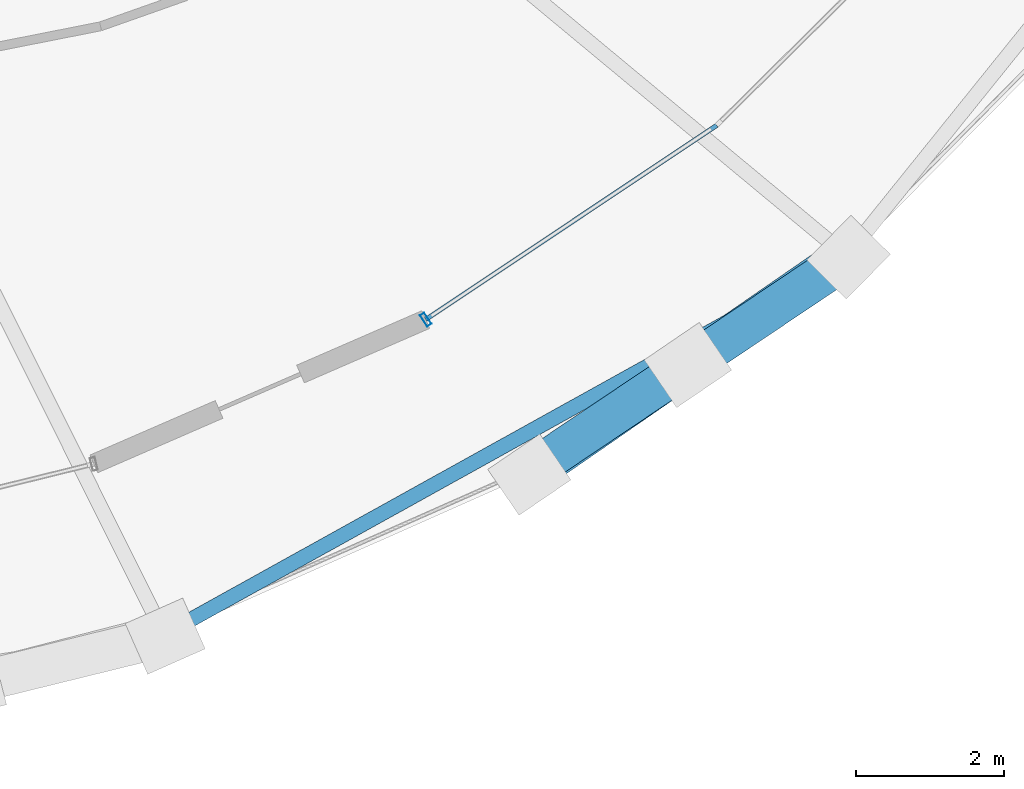
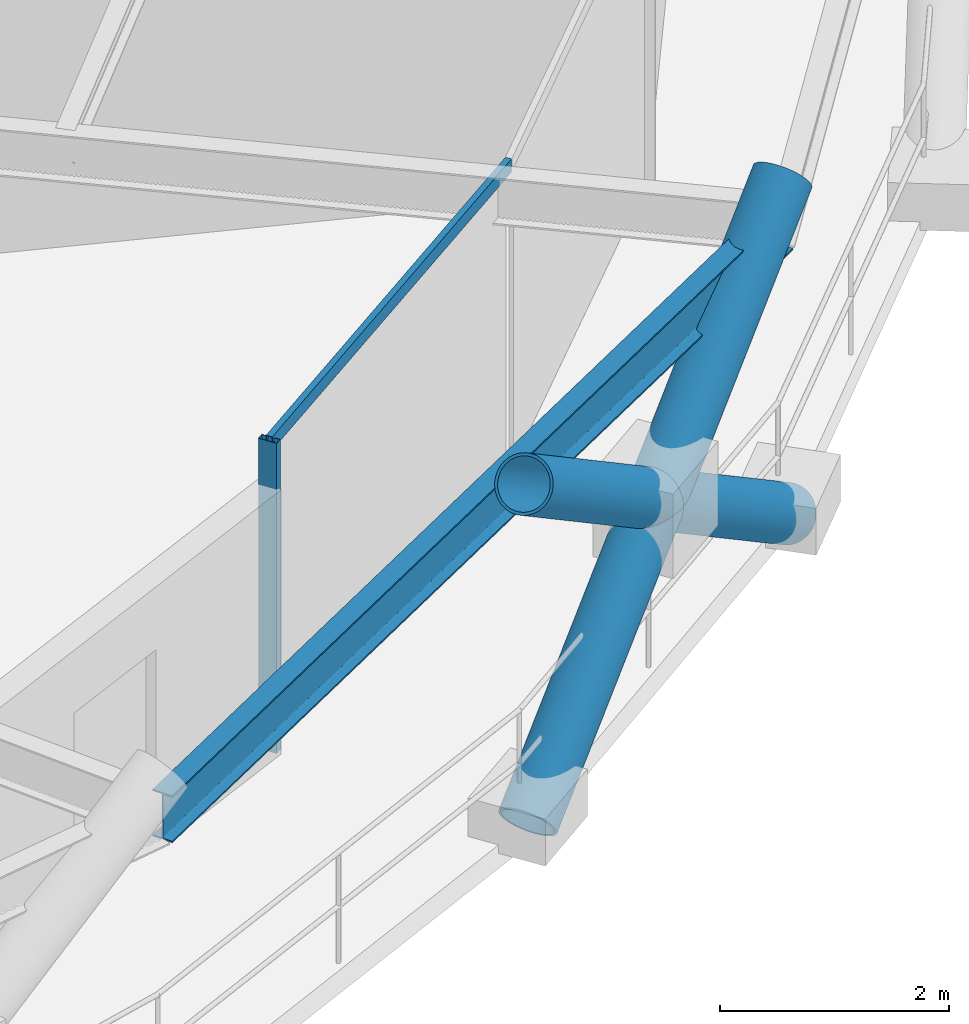
# One storey, part 5 of 21: 5 members, 1 beam, 1 element without a shape of its own.
"""IFC4 building model written with IfcOpenShell, lengths in metres."""

import ifcopenshell
import ifcopenshell.guid

model = None  # the IFC model being written
_history = None  # IfcOwnerHistory: only IFC2X3 demands one
_inside = {}  # id of a spatial element -> (the spatial element, [elements in it])
_under = {}  # id of a project, library or spatial element -> (it, [spatial elements below it])
_declared = {}  # id of a project -> (the project, [libraries it declares])
_typed = {}  # id of a type object -> (the type object, [elements of that type])
_made_of = {}  # id of a material, layer set ... -> (it, [elements and type objects made of it])


def new_model(schema):
    """Start an empty IFC model of exactly this schema.

    Asked for "IFC4X3", IfcOpenShell would pick the latest addendum, in which some entities
    have other attributes; the version numbers below select the first issue.
    IFC2X3 requires an IfcOwnerHistory on every rooted entity: one is made here for all.
    """
    global model, _history
    if schema == "IFC4X3":
        model = ifcopenshell.file(schema_version=(4, 3, 0, 0))
    else:
        model = ifcopenshell.file(schema=schema)
    _inside.clear()
    _under.clear()
    _declared.clear()
    _typed.clear()
    _made_of.clear()
    _history = None
    if model.schema == "IFC2X3":
        org = make("IfcOrganization", Name="unknown")
        user = make(
            "IfcPersonAndOrganization",
            ThePerson=make("IfcPerson", FamilyName="unknown"),
            TheOrganization=org,
        )
        app = make(
            "IfcApplication",
            ApplicationDeveloper=org,
            Version="unknown",
            ApplicationFullName="unknown",
            ApplicationIdentifier="unknown",
        )
        _history = make(
            "IfcOwnerHistory",
            OwningUser=user,
            OwningApplication=app,
            ChangeAction="ADDED",
            CreationDate=0,
        )
    return model


def make(cls, **values):
    """One entity of the class cls with the attributes given. An attribute that is None is left unset."""
    return model.create_entity(
        cls, **{name: value for name, value in values.items() if value is not None}
    )


def rooted(cls, **values):
    """An entity with a GlobalId (a new one), such as an element, a storey or a relation."""
    return make(cls, GlobalId=ifcopenshell.guid.new(), OwnerHistory=_history, **values)


def si_unit(unit_type, name, prefix=None):
    """IfcSIUnit, for example si_unit("LENGTHUNIT", "METRE", prefix="MILLI")."""
    return make("IfcSIUnit", UnitType=unit_type, Prefix=prefix, Name=name)


def assignment(units):
    """IfcUnitAssignment: the units of a project."""
    return None if units is None else make("IfcUnitAssignment", Units=units)


def point(xyz):
    """IfcCartesianPoint."""
    return None if xyz is None else make("IfcCartesianPoint", Coordinates=xyz)


def direction(xyz):
    """IfcDirection."""
    return None if xyz is None else make("IfcDirection", DirectionRatios=xyz)


def frame(location, z_axis=None, x_axis=None):
    """IfcAxis2Placement3D, a coordinate frame: its origin and axes. An axis left out is left unset."""
    return make(
        "IfcAxis2Placement3D",
        Location=point(location),
        Axis=direction(z_axis),
        RefDirection=direction(x_axis),
    )


def frame_2d(location, x_axis=None):
    """IfcAxis2Placement2D, a coordinate frame in the plane: its origin and x axis."""
    return make(
        "IfcAxis2Placement2D", Location=point(location), RefDirection=direction(x_axis)
    )


def origin():
    """The frame at (0, 0, 0) with its axes left unset."""
    return frame((0.0, 0.0, 0.0))


def origin_2d():
    """The frame at (0, 0) in the plane with its x axis left unset."""
    return frame_2d((0.0, 0.0))


def place(relative_to, where):
    """IfcLocalPlacement: puts the frame where relative to a parent placement (None: the world)."""
    return make(
        "IfcLocalPlacement", PlacementRelTo=relative_to, RelativePlacement=where
    )


def context(
    kind, dimensions, precision=None, world=None, true_north=None, identifier=None
):
    """IfcGeometricRepresentationContext, for example the 3D "Model" context."""
    return make(
        "IfcGeometricRepresentationContext",
        ContextIdentifier=identifier,
        ContextType=kind,
        CoordinateSpaceDimension=dimensions,
        Precision=precision,
        WorldCoordinateSystem=world,
        TrueNorth=true_north,
    )


def subcontext(parent, identifier, kind, view, scale=None):
    """IfcGeometricRepresentationSubContext, for example "Body" below "Model"."""
    return make(
        "IfcGeometricRepresentationSubContext",
        ContextIdentifier=identifier,
        ContextType=kind,
        ParentContext=parent,
        TargetScale=scale,
        TargetView=view,
    )


def project(units=None, contexts=None):
    """IfcProject with its units and contexts."""
    return rooted(
        "IfcProject",
        Name="project",
        RepresentationContexts=contexts,
        UnitsInContext=assignment(units),
    )


def spatial(cls, under=None, at=None, **own):
    """A site, building, storey or space (cls), placed at a placement, below another one or the project."""
    s = rooted(cls, ObjectPlacement=at, **own)
    if under is not None:
        _under.setdefault(under.id(), (under, []))[1].append(s)
    return s


def profile(cls, at=None, kind="AREA", **sizes):
    """A parametric profile (cls). Its sizes go by their IFC names, for example OverallWidth=200.0."""
    return make(cls, ProfileType=kind, Position=at, **sizes)


def hollow_rectangle(**sizes):
    """IfcRectangleHollowProfileDef."""
    return profile("IfcRectangleHollowProfileDef", **sizes)


def hollow_circle(**sizes):
    """IfcCircleHollowProfileDef."""
    return profile("IfcCircleHollowProfileDef", **sizes)


def i_section(**sizes):
    """IfcIShapeProfileDef."""
    return profile("IfcIShapeProfileDef", **sizes)


def extrude(swept, where, along, depth):
    """IfcExtrudedAreaSolid: the profile swept, set in the frame where, extruded along a direction by depth."""
    return make(
        "IfcExtrudedAreaSolid",
        SweptArea=swept,
        Position=where,
        ExtrudedDirection=direction(along),
        Depth=depth,
    )


def shape(context_of_items, identifier, shape_type, items):
    """IfcShapeRepresentation: the items that make up one representation, for example the "Body"."""
    return make(
        "IfcShapeRepresentation",
        ContextOfItems=context_of_items,
        RepresentationIdentifier=identifier,
        RepresentationType=shape_type,
        Items=items,
    )


def material(Name=None, Category=None):
    """IfcMaterial."""
    return make("IfcMaterial", Name=Name, Category=Category)


def layer(
    of_material, thickness, ventilated=None, Name=None, Category=None, Priority=None
):
    """IfcMaterialLayer: one layer of a wall or slab, of a material (None: an air gap)."""
    return make(
        "IfcMaterialLayer",
        Material=of_material,
        LayerThickness=thickness,
        IsVentilated=ventilated,
        Name=Name,
        Category=Category,
        Priority=Priority,
    )


def layer_set(layers, Name=None):
    """IfcMaterialLayerSet."""
    return make("IfcMaterialLayerSet", MaterialLayers=layers, LayerSetName=Name)


def material_profile(
    of_material, cross_section, Name=None, Category=None, Priority=None
):
    """IfcMaterialProfile: a cross section and its material."""
    return make(
        "IfcMaterialProfile",
        Name=Name,
        Material=of_material,
        Profile=cross_section,
        Priority=Priority,
        Category=Category,
    )


def profile_set(profiles, Name=None, composite=None):
    """IfcMaterialProfileSet."""
    return make(
        "IfcMaterialProfileSet",
        Name=Name,
        MaterialProfiles=profiles,
        CompositeProfile=composite,
    )


def made_of(thing, what):
    """Note that an element or type object is made of a material, layer set ...; save() writes the relation."""
    if what is not None:
        _made_of.setdefault(what.id(), (what, []))[1].append(thing)
    return thing


def type_object(cls, material=None, **own):
    """A type object (cls), such as IfcWallType, which elements share."""
    return made_of(rooted(cls, **own), material)


def element(
    cls,
    number,
    at=None,
    inside=None,
    cuts=None,
    type_object=None,
    material=None,
    context=None,
    identifier="Body",
    shape_type=None,
    held_by="IfcProductDefinitionShape",
    body=None,
    shapes=None,
    **own,
):
    """One element of the class cls, such as IfcWall. Its Tag is "e" and its number.

    at: its placement. inside: the storey or other place that contains it. cuts: it is an
    opening in that element (IfcRelVoidsElement). A single representation is given by context,
    identifier, shape_type and body (its items); several are given by shapes. held_by: the class
    of the entity that holds the representations. save() writes the other relations.
    """
    e = rooted(cls, Tag="e%d" % number, ObjectPlacement=at, **own)
    if body is not None:
        shapes = [shape(context, identifier, shape_type, body)]
    if shapes is not None:
        e.Representation = make(held_by, Representations=shapes)
    if inside is not None:
        _inside.setdefault(inside.id(), (inside, []))[1].append(e)
    if cuts is not None:
        rooted(
            "IfcRelVoidsElement", RelatingBuildingElement=cuts, RelatedOpeningElement=e
        )
    if type_object is not None:
        _typed.setdefault(type_object.id(), (type_object, []))[1].append(e)
    return made_of(e, material)


def aggregate(whole, parts):
    """IfcRelAggregates: a whole, such as a stair, and the parts it consists of."""
    return rooted("IfcRelAggregates", RelatingObject=whole, RelatedObjects=parts)


def save(model, path):
    """Write the relations noted so far, then the file.

    IfcRelAggregates (storeys below a building ...), IfcRelContainedInSpatialStructure (elements
    in a storey), IfcRelDefinesByType, IfcRelAssociatesMaterial and IfcRelDeclares: one each for
    every whole, place, type object, material and project.
    """
    for whole, parts in _under.values():
        aggregate(whole, parts)
    for where, things in _inside.values():
        rooted(
            "IfcRelContainedInSpatialStructure",
            RelatedElements=things,
            RelatingStructure=where,
        )
    for kind, things in _typed.values():
        rooted("IfcRelDefinesByType", RelatedObjects=things, RelatingType=kind)
    for what, things in _made_of.values():
        rooted("IfcRelAssociatesMaterial", RelatedObjects=things, RelatingMaterial=what)
    for by, libraries in _declared.values():
        rooted("IfcRelDeclares", RelatingContext=by, RelatedDefinitions=libraries)
    model.write(path)


model = new_model("IFC4")

# Units and contexts
model_context = context("Model", 3, precision=1e-05, world=origin(), true_north=direction((0.0, 1.0)))
body_context = subcontext(model_context, "Body", "Model", "MODEL_VIEW")
ifc_project = project(units=[si_unit("LENGTHUNIT", "METRE"), si_unit("AREAUNIT", "SQUARE_METRE"), si_unit("VOLUMEUNIT", "CUBIC_METRE"), si_unit("PLANEANGLEUNIT", "RADIAN"), si_unit("MASSUNIT", "GRAM", prefix="KILO")], contexts=[model_context])

# Site, building, storey
site_placement = place(None, origin())
site = spatial("IfcSite", under=ifc_project, at=site_placement, CompositionType="ELEMENT")
building_placement = place(site_placement, origin())
building = spatial("IfcBuilding", under=site, at=building_placement, Name="Veldorina Hangang Commons", CompositionType="ELEMENT")
storey_placement = place(building_placement, frame((0.0, 0.0, 138.800048828125)))
storey = spatial("IfcBuildingStorey", under=building, at=storey_placement, Name="L35", CompositionType="ELEMENT", Elevation=138.800048828125)

# Beam
ifc_material_1 = material(Name="Steel SM420-TMC", Category="steel")
ifc_material_profile_1 = material_profile(ifc_material_1, i_section(OverallWidth=0.199951171875, OverallDepth=0.5, WebThickness=0.010009765625, FlangeThickness=0.01611328125, FilletRadius=0.01611328125, at=origin_2d()), Name="H-500x200x10x16")
ifc_profile_set_1 = profile_set([ifc_material_profile_1], Name="Steel SM420-TMC")
beam_type = type_object("IfcBeamType", Name="BM-RB500", PredefinedType="BEAM", material=ifc_profile_set_1)
beam_placement = place(storey_placement, frame((42.876220703125, 2.201416015625, 3.099853515625), z_axis=(0.874462920475, 0.485092363076, 0.0), x_axis=(-0.485092363076, 0.874462920475, 0.0)))
element("IfcBeam", 1, at=beam_placement, inside=storey, type_object=beam_type, Name="L35 perimeter hoop ring beam 26", PredefinedType="BEAM", context=body_context, shape_type="SweptSolid", body=[
    extrude(i_section(OverallWidth=0.199951171875, OverallDepth=0.5, WebThickness=0.010009765625, FlangeThickness=0.01611328125, FilletRadius=0.01611328125, at=origin_2d()), origin(), (0.0, 0.0, 1.0), 10.5439453125),
])

# Curtain wall, members
ifc_material_2 = material(Name="Glass Low-E Triple IGU", Category="glass")
ifc_layer = layer(ifc_material_2, 0.179931640625)
ifc_layer_set = layer_set([ifc_layer], Name="Glass Low-E Triple IGU")
curtain_wall_type = type_object("IfcCurtainWallType", Name="CW-SYS-Z2", PredefinedType="NOTDEFINED", material=ifc_layer_set)
curtain_wall_placement = place(storey_placement, origin())
curtain_wall = element("IfcCurtainWall", 2, at=curtain_wall_placement, inside=storey, type_object=curtain_wall_type, Name="L35 unitised curtain wall CW-L35-R2", PredefinedType="NOTDEFINED")
ifc_material_3 = material(Name="Aluminium Anodized AA6063-T6", Category="aluminium")
ifc_material_profile_2 = material_profile(ifc_material_3, hollow_rectangle(XDim=0.070068359375, YDim=0.179931640625, WallThickness=0.00390625, at=origin_2d()), Name="ALU-RHS-180x70x4")
ifc_profile_set_2 = profile_set([ifc_material_profile_2], Name="Aluminium Anodized AA6063-T6")
member_type_1 = type_object("IfcMemberType", Name="CW-MUL-180", PredefinedType="MULLION", material=ifc_profile_set_2)
member_1_placement = place(storey_placement, frame((46.410400390625, 6.455322265625, 0.0), z_axis=(0.0, 0.0, 1.0), x_axis=(0.831682874659, 0.55525093066, 0.0)))
member_1 = element("IfcMember", 3, at=member_1_placement, type_object=member_type_1, Name="CW-L35-R2 vertical mullion 1", PredefinedType="MULLION", context=body_context, shape_type="SweptSolid", body=[
    extrude(hollow_rectangle(XDim=0.070068359375, YDim=0.179931640625, WallThickness=0.00390625, at=origin_2d()), origin(), (0.0, 0.0, 1.0), 3.31005859375),
])
ifc_material_profile_3 = material_profile(ifc_material_3, hollow_rectangle(XDim=0.06005859375, YDim=0.139892578125, WallThickness=0.00341796875, at=origin_2d()), Name="ALU-RHS-140x60x3.5")
ifc_profile_set_3 = profile_set([ifc_material_profile_3], Name="Aluminium Anodized AA6063-T6")
member_type_2 = type_object("IfcMemberType", Name="CW-TRN-140", PredefinedType="USERDEFINED", material=ifc_profile_set_3)
member_2_placement = place(storey_placement, frame((46.410400390625, 6.455322265625, 3.27001953125), z_axis=(0.831676586354, 0.555260349486, 0.0), x_axis=(-0.555260349486, 0.831676586354, 0.0)))
member_2 = element("IfcMember", 4, at=member_2_placement, type_object=member_type_2, Name="CW-L35-R2 facet 1 transom 1", ObjectType="TRANSOM", PredefinedType="USERDEFINED", context=body_context, shape_type="SweptSolid", body=[
    extrude(hollow_rectangle(XDim=0.06005859375, YDim=0.139892578125, WallThickness=0.00341796875, at=origin_2d()), origin(), (0.0, 0.0, 1.0), 4.72607421875),
])
aggregate(curtain_wall, [member_1, member_2])

# Members
ifc_material_profile_4 = material_profile(ifc_material_1, hollow_circle(Radius=0.27490234375, WallThickness=0.028076171875, at=origin_2d()), Name="CHS-550x28")
ifc_profile_set_4 = profile_set([ifc_material_profile_4], Name="Steel SM420-TMC")
member_type_3 = type_object("IfcMemberType", Name="DG-CHS550", PredefinedType="BRACE", material=ifc_profile_set_4)
member_3_placement = place(storey_placement, frame((47.810546875, 4.360107421875, 0.0), z_axis=(0.676597978989, 0.467577118562, 0.568846915281), x_axis=(-0.568521924391, 0.822668111383, 0.0)))
element("IfcMember", 5, at=member_3_placement, inside=storey, type_object=member_type_3, Name="L35 continuous perimeter diagrid brace 27", PredefinedType="BRACE", context=body_context, shape_type="SweptSolid", body=[
    extrude(hollow_circle(Radius=0.27490234375, WallThickness=0.028076171875, at=origin_2d()), origin(), (0.0, 0.0, 1.0), 6.328369140625),
])
member_4_placement = place(storey_placement, frame((52.123046875, 7.297607421875, 0.0), z_axis=(-0.683635289803, -0.458986996236, 0.567427288577), x_axis=(0.55741303501, -0.830235333144, 0.0)))
element("IfcMember", 6, at=member_4_placement, inside=storey, type_object=member_type_3, Name="L35 split perimeter diagrid lower brace 28", PredefinedType="BRACE", context=body_context, shape_type="SweptSolid", body=[
    extrude(hollow_circle(Radius=0.27490234375, WallThickness=0.028076171875, at=origin_2d()), origin(), (0.0, 0.0, 1.0), 3.174560546875),
])
member_5_placement = place(storey_placement, frame((49.952880859375, 5.840576171875, 1.80126953125), z_axis=(-0.683541898355, -0.459083808226, 0.567461479061), x_axis=(0.557546561538, -0.830145668975, 0.0)))
element("IfcMember", 7, at=member_5_placement, inside=storey, type_object=member_type_3, Name="L35 split perimeter diagrid upper brace 28", PredefinedType="BRACE", context=body_context, shape_type="SweptSolid", body=[
    extrude(hollow_circle(Radius=0.27490234375, WallThickness=0.028076171875, at=origin_2d()), origin(), (0.0, 0.0, 1.0), 3.16943359375),
])

save(model, "model.ifc")
